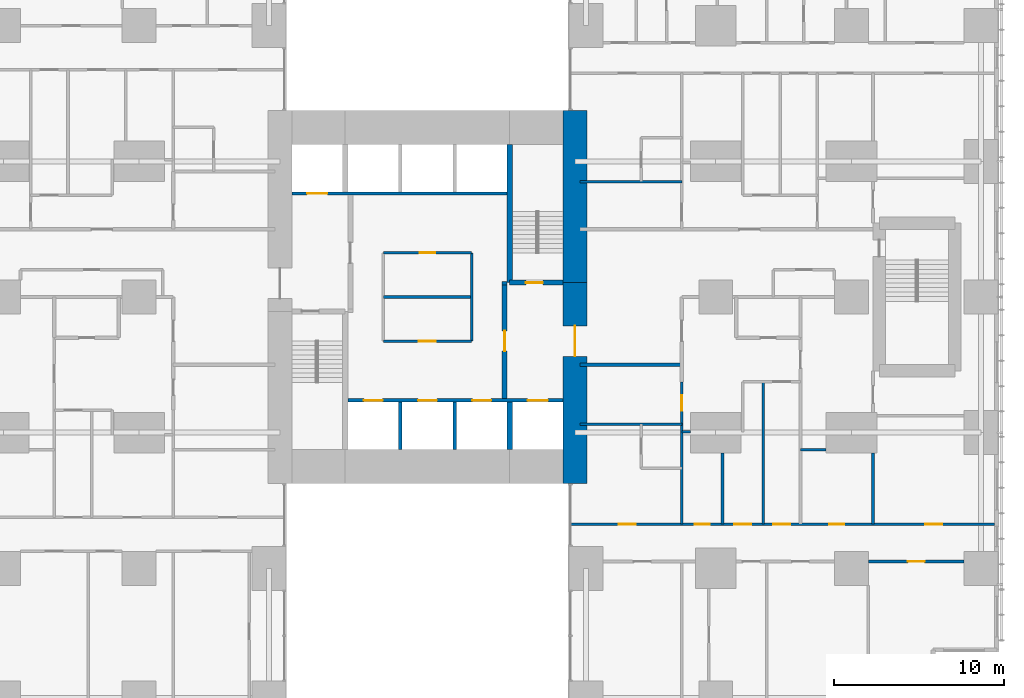
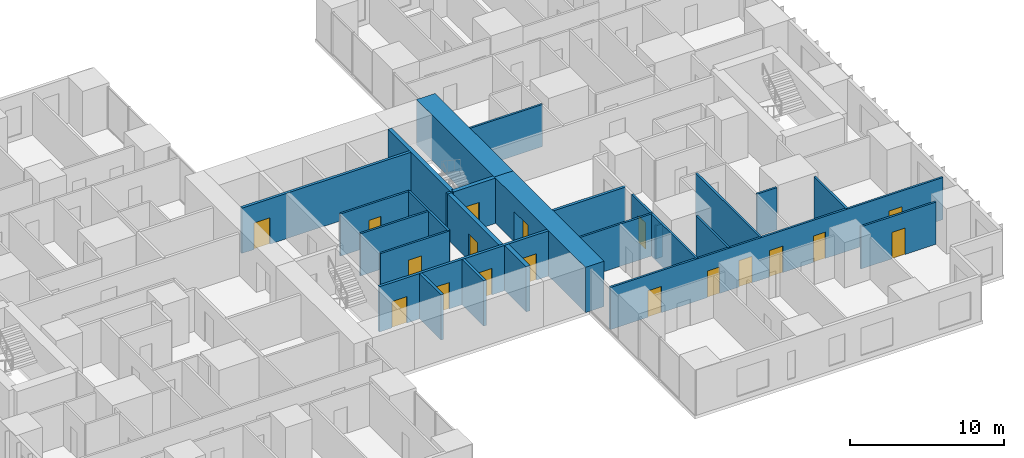
# One storey, part 15 of 20: 26 walls, 18 doors, 18 openings.
"""IFC4 building model written with IfcOpenShell, lengths in metres."""

from ifc_helpers import new_model, si_unit, direction, frame, frame_2d, origin, place, context, subcontext, project, spatial, rectangle, extrude, material, layer, layer_set, type_object, element, fill, save


model = new_model("IFC4")

# Units and contexts
model_context = context("Model", 3, precision=1e-05, world=origin(), true_north=direction((0.0, 1.0)))
body_context = subcontext(model_context, "Body", "Model", "MODEL_VIEW")
ifc_project = project(units=[si_unit("LENGTHUNIT", "METRE"), si_unit("AREAUNIT", "SQUARE_METRE"), si_unit("VOLUMEUNIT", "CUBIC_METRE"), si_unit("PLANEANGLEUNIT", "RADIAN"), si_unit("MASSUNIT", "GRAM", prefix="KILO")], contexts=[model_context])

# Site, building, storey
site_placement = place(None, origin())
site = spatial("IfcSite", under=ifc_project, at=site_placement, CompositionType="ELEMENT")
building_placement = place(site_placement, origin())
building = spatial("IfcBuilding", under=site, at=building_placement, Name="Cleftline Residences", CompositionType="ELEMENT")
storey_placement = place(building_placement, frame((0.0, 0.0, 146.60009765625)))
storey = spatial("IfcBuildingStorey", under=building, at=storey_placement, Name="L38", CompositionType="ELEMENT", Elevation=146.60009765625)

# Wall, opening, door
ifc_material_1 = material(Name="Concrete B70", Category="concrete")
ifc_layer_1 = layer(ifc_material_1, 1.39990234375)
ifc_layer_set_1 = layer_set([ifc_layer_1], Name="CORE WALL 1400")
wall_type_1 = type_object("IfcWallType", Name="CORE WALL 1400", PredefinedType="SHEAR", material=ifc_layer_set_1)
wall_1_placement = place(storey_placement, frame((41.699951171875, 13.0, 0.0), z_axis=(0.0, 0.0, 1.0), x_axis=(0.0, 1.0, 0.0)))
wall_1 = element("IfcWall", 1, at=wall_1_placement, inside=storey, type_object=wall_type_1, Name="Core wall E", PredefinedType="SHEAR", context=body_context, shape_type="SweptSolid", body=[
    extrude(rectangle(XDim=11.85009765625, YDim=1.39990234375, at=frame_2d((5.925048828125, 0.0))), origin(), (0.0, 0.0, 1.0), 3.599853515625),
])
opening_1_placement = place(wall_1_placement, frame((7.5, 0.0, 0.0)))
opening_1 = element("IfcOpeningElement", 2, at=opening_1_placement, cuts=wall_1, Name="Opening D7", PredefinedType="OPENING", context=body_context, shape_type="SweptSolid", body=[
    extrude(rectangle(XDim=1.800048828125, YDim=2.39990234375, at=frame_2d((0.89990234375, 1.199951171875))), frame((0.0, 0.7099609375, 0.0), z_axis=(0.0, -1.0, 0.0), x_axis=(1.0, 0.0, 0.0)), (0.0, 0.0, 1.0), 1.419921875),
])
ifc_material_2 = material(Name="Steel", Category="steel")
door_type_1 = type_object("IfcDoorType", Name="WING DOOR 1800X2400", OperationType="DOUBLE_DOOR_DOUBLE_SWING", PredefinedType="DOOR", material=ifc_material_2)
door_1_placement = place(opening_1_placement, origin())
door_1 = element("IfcDoor", 3, at=door_1_placement, inside=storey, type_object=door_type_1, Name="East wing door", OperationType="DOUBLE_DOOR_DOUBLE_SWING", OverallHeight=2.39990234375, OverallWidth=1.800048828125, PredefinedType="DOOR", context=body_context, shape_type="SweptSolid", body=[
    extrude(rectangle(XDim=1.800048828125, YDim=2.39990234375, at=frame_2d((0.89990234375, 1.199951171875))), frame((0.0, 0.02490234375, 0.0), z_axis=(0.0, -1.0, 0.0), x_axis=(1.0, 0.0, 0.0)), (0.0, 0.0, 1.0), 0.050048828125),
])
fill(opening_1, door_1)

# Walls
wall_2_placement = place(storey_placement, frame((41.699951171875, 24.85009765625, 0.0), z_axis=(0.0, 0.0, 1.0), x_axis=(0.0, 1.0, 0.0)))
element("IfcWall", 4, at=wall_2_placement, inside=storey, type_object=wall_type_1, Name="Core wall E1", PredefinedType="SHEAR", context=body_context, shape_type="SweptSolid", body=[
    extrude(rectangle(XDim=10.14990234375, YDim=1.39990234375, at=frame_2d((5.074951171875, 0.0))), origin(), (0.0, 0.0, 1.0), 3.599853515625),
])
ifc_material_3 = material(Name="Concrete B70", Category="concrete")
ifc_layer_2 = layer(ifc_material_3, 0.300048828125)
ifc_layer_set_2 = layer_set([ifc_layer_2], Name="CORE WALL 300")
wall_type_2 = type_object("IfcWallType", Name="CORE WALL 300", PredefinedType="SHEAR", material=ifc_layer_set_2)
wall_3_placement = place(storey_placement, frame((37.85009765625, 24.85009765625, 0.0), z_axis=(0.0, 0.0, 1.0), x_axis=(0.0, 1.0, 0.0)))
element("IfcWall", 5, at=wall_3_placement, inside=storey, type_object=wall_type_2, Name="Core wall SB-W", PredefinedType="SHEAR", context=body_context, shape_type="SweptSolid", body=[
    extrude(rectangle(XDim=8.14990234375, YDim=0.300048828125, at=frame_2d((4.074951171875, 0.0))), origin(), (0.0, 0.0, 1.0), 3.599853515625),
])

# Wall, opening, door
wall_4_placement = place(storey_placement, frame((37.85009765625, 24.85009765625, 0.0), z_axis=(0.0, 0.0, 1.0), x_axis=(1.0, 0.0, 0.0)))
wall_4 = element("IfcWall", 6, at=wall_4_placement, inside=storey, type_object=wall_type_2, Name="Core wall SB-S", PredefinedType="SHEAR", context=body_context, shape_type="SweptSolid", body=[
    extrude(rectangle(XDim=3.14990234375, YDim=0.300048828125, at=frame_2d((1.574951171875, 0.0))), origin(), (0.0, 0.0, 1.0), 3.599853515625),
])
opening_2_placement = place(wall_4_placement, frame((0.949951171875, 0.0, 0.0)))
opening_2 = element("IfcOpeningElement", 7, at=opening_2_placement, cuts=wall_4, Name="Opening D5", PredefinedType="OPENING", context=body_context, shape_type="SweptSolid", body=[
    extrude(rectangle(XDim=1.0, YDim=2.10009765625, at=frame_2d((0.5, 1.050048828125))), frame((0.0, 0.159912109375, 0.0), z_axis=(0.0, -1.0, 0.0), x_axis=(1.0, 0.0, 0.0)), (0.0, 0.0, 1.0), 0.320068359375),
])
ifc_material_4 = material(Name="Steel", Category="steel")
door_type_2 = type_object("IfcDoorType", Name="STAIR DOOR 1000X2100", OperationType="SINGLE_SWING_LEFT", PredefinedType="DOOR", material=ifc_material_4)
door_2_placement = place(opening_2_placement, origin())
door_2 = element("IfcDoor", 8, at=door_2_placement, inside=storey, type_object=door_type_2, Name="Stair B door", OperationType="SINGLE_SWING_RIGHT", OverallHeight=2.10009765625, OverallWidth=1.0, PredefinedType="DOOR", context=body_context, shape_type="SweptSolid", body=[
    extrude(rectangle(XDim=1.0, YDim=2.10009765625, at=frame_2d((0.5, 1.050048828125))), frame((0.0, 0.02490234375, 0.0), z_axis=(0.0, -1.0, 0.0), x_axis=(1.0, 0.0, 0.0)), (0.0, 0.0, 1.0), 0.050048828125),
])
fill(opening_2, door_2)

# Walls
wall_5_placement = place(storey_placement, frame((37.85009765625, 15.0, 0.0), z_axis=(0.0, 0.0, 1.0), x_axis=(0.0, 1.0, 0.0)))
element("IfcWall", 9, at=wall_5_placement, inside=storey, type_object=wall_type_2, Name="Lift shaft wall", PredefinedType="SHEAR", context=body_context, shape_type="SweptSolid", body=[
    extrude(rectangle(XDim=2.800048828125, YDim=0.300048828125, at=frame_2d((1.39990234375, 0.0))), origin(), (0.0, 0.0, 1.0), 3.599853515625),
])
ifc_material_5 = material(Name="Concrete blockwork, fire rated", Category="masonry")
ifc_layer_3 = layer(ifc_material_5, 0.199951171875)
ifc_layer_set_3 = layer_set([ifc_layer_3], Name="FIRE WALL 200")
wall_type_3 = type_object("IfcWallType", Name="FIRE WALL 200", PredefinedType="PARTITIONING", material=ifc_layer_set_3)
wall_6_placement = place(storey_placement, frame((42.0, 20.0, 0.0), z_axis=(0.0, 0.0, 1.0), x_axis=(1.0, 0.0, 0.0)))
element("IfcWall", 10, at=wall_6_placement, inside=storey, type_object=wall_type_3, Name="Fire separating wall", PredefinedType="PARTITIONING", context=body_context, shape_type="SweptSolid", body=[
    extrude(rectangle(XDim=6.0, YDim=0.199951171875, at=frame_2d((3.0, 0.0))), origin(), (0.0, 0.0, 1.0), 3.349853515625),
])
wall_7_placement = place(storey_placement, frame((37.39990234375, 24.800048828125, 0.0), z_axis=(0.0, 0.0, 1.0), x_axis=(1.0, 0.0, 0.0)))
element("IfcWall", 11, at=wall_7_placement, inside=storey, type_object=wall_type_3, Name="Fire separating wall", PredefinedType="PARTITIONING", context=body_context, shape_type="SweptSolid", body=[
    extrude(rectangle(XDim=0.300048828125, YDim=0.199951171875, at=frame_2d((0.14990234375, 0.0))), origin(), (0.0, 0.0, 1.0), 3.599853515625),
])

# Wall, opening, door
ifc_material_6 = material(Name="Gypsum board on steel studs", Category="steel")
ifc_layer_4 = layer(ifc_material_6, 0.14990234375)
ifc_layer_set_4 = layer_set([ifc_layer_4], Name="PARTITION 150")
wall_type_4 = type_object("IfcWallType", Name="PARTITION 150", PredefinedType="PARTITIONING", material=ifc_layer_set_4)
wall_8_placement = place(storey_placement, frame((59.0, 8.39990234375, 0.0), z_axis=(0.0, 0.0, 1.0), x_axis=(1.0, 0.0, 0.0)))
wall_8 = element("IfcWall", 12, at=wall_8_placement, inside=storey, type_object=wall_type_4, Name="Partition", PredefinedType="PARTITIONING", context=body_context, shape_type="SweptSolid", body=[
    extrude(rectangle(XDim=5.64990234375, YDim=0.14990234375, at=frame_2d((2.824951171875, 0.0))), origin(), (0.0, 0.0, 1.0), 3.349853515625),
])
opening_3_placement = place(wall_8_placement, frame((2.324951171875, 0.0, 0.0)))
opening_3 = element("IfcOpeningElement", 13, at=opening_3_placement, cuts=wall_8, Name="Opening D2", PredefinedType="OPENING", context=body_context, shape_type="SweptSolid", body=[
    extrude(rectangle(XDim=1.0, YDim=2.10009765625, at=frame_2d((0.5, 1.050048828125))), frame((0.0, 0.0849609375, 0.0), z_axis=(0.0, -1.0, 0.0), x_axis=(1.0, 0.0, 0.0)), (0.0, 0.0, 1.0), 0.169921875),
])
ifc_material_7 = material(Name="Timber veneer on solid core", Category="wood")
door_type_3 = type_object("IfcDoorType", Name="DOOR 1000X2100", OperationType="SINGLE_SWING_LEFT", PredefinedType="DOOR", material=ifc_material_7)
door_3_placement = place(opening_3_placement, origin())
door_3 = element("IfcDoor", 14, at=door_3_placement, inside=storey, type_object=door_type_3, Name="Door to music room", OperationType="SINGLE_SWING_LEFT", OverallHeight=2.10009765625, OverallWidth=1.0, PredefinedType="DOOR", context=body_context, shape_type="SweptSolid", body=[
    extrude(rectangle(XDim=1.0, YDim=2.10009765625, at=frame_2d((0.5, 1.050048828125))), frame((0.0, 0.02490234375, 0.0), z_axis=(0.0, -1.0, 0.0), x_axis=(1.0, 0.0, 0.0)), (0.0, 0.0, 1.0), 0.050048828125),
])
fill(opening_3, door_3)

# Wall, openings, doors
wall_9_placement = place(storey_placement, frame((41.43896484375, 10.60009765625, 0.0), z_axis=(0.0, 0.0, 1.0), x_axis=(1.0, 0.0, 0.0)))
wall_9 = element("IfcWall", 15, at=wall_9_placement, inside=storey, type_object=wall_type_4, Name="Partition", PredefinedType="PARTITIONING", context=body_context, shape_type="SweptSolid", body=[
    extrude(rectangle(XDim=25.010986328125, YDim=0.14990234375, at=frame_2d((12.50537109375, 0.0))), origin(), (0.0, 0.0, 1.0), 3.349853515625),
])
opening_4_placement = place(wall_9_placement, frame((11.9609375, 0.0, 0.0)))
opening_4 = element("IfcOpeningElement", 16, at=opening_4_placement, cuts=wall_9, Name="Opening D2", PredefinedType="OPENING", context=body_context, shape_type="SweptSolid", body=[
    extrude(rectangle(XDim=1.0, YDim=2.10009765625, at=frame_2d((0.5, 1.050048828125))), frame((0.0, 0.0849609375, 0.0), z_axis=(0.0, -1.0, 0.0), x_axis=(1.0, 0.0, 0.0)), (0.0, 0.0, 1.0), 0.169921875),
])
opening_5_placement = place(wall_9_placement, frame((20.923583984375, 0.0, 0.0)))
opening_5 = element("IfcOpeningElement", 17, at=opening_5_placement, cuts=wall_9, Name="Opening D2", PredefinedType="OPENING", context=body_context, shape_type="SweptSolid", body=[
    extrude(rectangle(XDim=1.0, YDim=2.10009765625, at=frame_2d((0.5, 1.050048828125))), frame((0.0, 0.0849609375, 0.0), z_axis=(0.0, -1.0, 0.0), x_axis=(1.0, 0.0, 0.0)), (0.0, 0.0, 1.0), 0.169921875),
])
opening_6_placement = place(wall_9_placement, frame((15.24853515625, 0.0, 0.0)))
opening_6 = element("IfcOpeningElement", 18, at=opening_6_placement, cuts=wall_9, Name="Opening D1", PredefinedType="OPENING", context=body_context, shape_type="SweptSolid", body=[
    extrude(rectangle(XDim=0.89990234375, YDim=2.10009765625, at=frame_2d((0.449951171875, 1.050048828125))), frame((0.0, 0.0849609375, 0.0), z_axis=(0.0, -1.0, 0.0), x_axis=(1.0, 0.0, 0.0)), (0.0, 0.0, 1.0), 0.169921875),
])
opening_7_placement = place(wall_9_placement, frame((9.660888671875, 0.0, 0.0)))
opening_7 = element("IfcOpeningElement", 19, at=opening_7_placement, cuts=wall_9, Name="Opening D2", PredefinedType="OPENING", context=body_context, shape_type="SweptSolid", body=[
    extrude(rectangle(XDim=1.0, YDim=2.10009765625, at=frame_2d((0.5, 1.050048828125))), frame((0.0, 0.0849609375, 0.0), z_axis=(0.0, -1.0, 0.0), x_axis=(1.0, 0.0, 0.0)), (0.0, 0.0, 1.0), 0.169921875),
])
opening_8_placement = place(wall_9_placement, frame((7.31103515625, 0.0, 0.0)))
opening_8 = element("IfcOpeningElement", 20, at=opening_8_placement, cuts=wall_9, Name="Opening D1", PredefinedType="OPENING", context=body_context, shape_type="SweptSolid", body=[
    extrude(rectangle(XDim=0.89990234375, YDim=2.10009765625, at=frame_2d((0.449951171875, 1.050048828125))), frame((0.0, 0.0849609375, 0.0), z_axis=(0.0, -1.0, 0.0), x_axis=(1.0, 0.0, 0.0)), (0.0, 0.0, 1.0), 0.169921875),
])
opening_9_placement = place(wall_9_placement, frame((2.8359375, 0.0, 0.0)))
opening_9 = element("IfcOpeningElement", 21, at=opening_9_placement, cuts=wall_9, Name="Opening D2", PredefinedType="OPENING", context=body_context, shape_type="SweptSolid", body=[
    extrude(rectangle(XDim=1.0, YDim=2.10009765625, at=frame_2d((0.5, 1.050048828125))), frame((0.0, 0.0849609375, 0.0), z_axis=(0.0, -1.0, 0.0), x_axis=(1.0, 0.0, 0.0)), (0.0, 0.0, 1.0), 0.169921875),
])
door_4_placement = place(opening_4_placement, origin())
door_4 = element("IfcDoor", 22, at=door_4_placement, inside=storey, type_object=door_type_3, Name="Door to residence hall", OperationType="SINGLE_SWING_RIGHT", OverallHeight=2.10009765625, OverallWidth=1.0, PredefinedType="DOOR", context=body_context, shape_type="SweptSolid", body=[
    extrude(rectangle(XDim=1.0, YDim=2.10009765625, at=frame_2d((0.5, 1.050048828125))), frame((0.0, 0.02490234375, 0.0), z_axis=(0.0, -1.0, 0.0), x_axis=(1.0, 0.0, 0.0)), (0.0, 0.0, 1.0), 0.050048828125),
])
fill(opening_4, door_4)
door_5_placement = place(opening_5_placement, origin())
door_5 = element("IfcDoor", 23, at=door_5_placement, inside=storey, type_object=door_type_3, Name="Door to sea-view great room", OperationType="SINGLE_SWING_LEFT", OverallHeight=2.10009765625, OverallWidth=1.0, PredefinedType="DOOR", context=body_context, shape_type="SweptSolid", body=[
    extrude(rectangle(XDim=1.0, YDim=2.10009765625, at=frame_2d((0.5, 1.050048828125))), frame((0.0, 0.02490234375, 0.0), z_axis=(0.0, -1.0, 0.0), x_axis=(1.0, 0.0, 0.0)), (0.0, 0.0, 1.0), 0.050048828125),
])
fill(opening_5, door_5)
door_6_placement = place(opening_7_placement, origin())
door_6 = element("IfcDoor", 24, at=door_6_placement, inside=storey, type_object=door_type_3, Name="Door to wet kitchen", OperationType="SINGLE_SWING_RIGHT", OverallHeight=2.10009765625, OverallWidth=1.0, PredefinedType="DOOR", context=body_context, shape_type="SweptSolid", body=[
    extrude(rectangle(XDim=1.0, YDim=2.10009765625, at=frame_2d((0.5, 1.050048828125))), frame((0.0, 0.02490234375, 0.0), z_axis=(0.0, -1.0, 0.0), x_axis=(1.0, 0.0, 0.0)), (0.0, 0.0, 1.0), 0.050048828125),
])
fill(opening_7, door_6)
door_7_placement = place(opening_9_placement, origin())
door_7 = element("IfcDoor", 25, at=door_7_placement, inside=storey, type_object=door_type_3, Name="Door to staff bedroom", OperationType="SINGLE_SWING_RIGHT", OverallHeight=2.10009765625, OverallWidth=1.0, PredefinedType="DOOR", context=body_context, shape_type="SweptSolid", body=[
    extrude(rectangle(XDim=1.0, YDim=2.10009765625, at=frame_2d((0.5, 1.050048828125))), frame((0.0, 0.02490234375, 0.0), z_axis=(0.0, -1.0, 0.0), x_axis=(1.0, 0.0, 0.0)), (0.0, 0.0, 1.0), 0.050048828125),
])
fill(opening_9, door_7)
ifc_material_8 = material(Name="Timber veneer on solid core", Category="wood")
door_type_4 = type_object("IfcDoorType", Name="DOOR 900X2100", OperationType="SINGLE_SWING_LEFT", PredefinedType="DOOR", material=ifc_material_8)
door_8_placement = place(opening_6_placement, origin())
door_8 = element("IfcDoor", 26, at=door_8_placement, inside=storey, type_object=door_type_4, Name="Door to wine room", OperationType="SINGLE_SWING_LEFT", OverallHeight=2.10009765625, OverallWidth=0.89990234375, PredefinedType="DOOR", context=body_context, shape_type="SweptSolid", body=[
    extrude(rectangle(XDim=0.89990234375, YDim=2.10009765625, at=frame_2d((0.449951171875, 1.050048828125))), frame((0.0, 0.02490234375, 0.0), z_axis=(0.0, -1.0, 0.0), x_axis=(1.0, 0.0, 0.0)), (0.0, 0.0, 1.0), 0.050048828125),
])
fill(opening_6, door_8)
door_9_placement = place(opening_8_placement, origin())
door_9 = element("IfcDoor", 27, at=door_9_placement, inside=storey, type_object=door_type_4, Name="Door to pantry", OperationType="SINGLE_SWING_RIGHT", OverallHeight=2.10009765625, OverallWidth=0.89990234375, PredefinedType="DOOR", context=body_context, shape_type="SweptSolid", body=[
    extrude(rectangle(XDim=0.89990234375, YDim=2.10009765625, at=frame_2d((0.449951171875, 1.050048828125))), frame((0.0, 0.02490234375, 0.0), z_axis=(0.0, -1.0, 0.0), x_axis=(1.0, 0.0, 0.0)), (0.0, 0.0, 1.0), 0.050048828125),
])
fill(opening_8, door_9)

# Walls
wall_10_placement = place(storey_placement, frame((55.0, 15.0, 0.0), z_axis=(0.0, 0.0, 1.0), x_axis=(1.0, 0.0, 0.0)))
element("IfcWall", 28, at=wall_10_placement, inside=storey, type_object=wall_type_4, Name="Partition", PredefinedType="PARTITIONING", context=body_context, shape_type="SweptSolid", body=[
    extrude(rectangle(XDim=1.5, YDim=0.14990234375, at=frame_2d((0.75, 0.0))), origin(), (0.0, 0.0, 1.0), 3.349853515625),
])
wall_11_placement = place(storey_placement, frame((48.0, 16.050048828125, 0.0), z_axis=(0.0, 0.0, 1.0), x_axis=(1.0, 0.0, 0.0)))
element("IfcWall", 29, at=wall_11_placement, inside=storey, type_object=wall_type_4, Name="Partition", PredefinedType="PARTITIONING", context=body_context, shape_type="SweptSolid", body=[
    extrude(rectangle(XDim=0.5, YDim=0.14990234375, at=frame_2d((0.25, 0.0))), origin(), (0.0, 0.0, 1.0), 2.6337890625),
])
for number, where, z_axis, x_axis, name in (
    (30, (42.0, 16.5, 0.0), (0.0, 0.0, 1.0), (1.0, 0.0, 0.0), "Partition"),
    (31, (42.0, 30.800048828125, 0.0), (0.0, 0.0, 1.0), (1.0, 0.0, 0.0), "Partition"),
):
    element("IfcWall", number, at=place(storey_placement, frame(where, z_axis=z_axis, x_axis=x_axis)), inside=storey, type_object=wall_type_4, Name=name, PredefinedType="PARTITIONING", context=body_context, shape_type="SweptSolid", body=[
        extrude(rectangle(XDim=6.0, YDim=0.14990234375, at=frame_2d((3.0, 0.0))), origin(), (0.0, 0.0, 1.0), 3.349853515625),
    ])

# Wall, opening, door
wall_12_placement = place(storey_placement, frame((48.0, 10.60009765625, 0.0), z_axis=(0.0, 0.0, 1.0), x_axis=(0.0, 1.0, 0.0)))
wall_12 = element("IfcWall", 32, at=wall_12_placement, inside=storey, type_object=wall_type_4, Name="Partition", PredefinedType="PARTITIONING", context=body_context, shape_type="SweptSolid", body=[
    extrude(rectangle(XDim=8.39990234375, YDim=0.14990234375, at=frame_2d((4.199951171875, 0.0))), origin(), (0.0, 0.0, 1.0), 3.349853515625),
])
opening_10_placement = place(wall_12_placement, frame((6.699951171875, 0.0, 0.0)))
opening_10 = element("IfcOpeningElement", 33, at=opening_10_placement, cuts=wall_12, Name="Opening D1", PredefinedType="OPENING", context=body_context, shape_type="SweptSolid", body=[
    extrude(rectangle(XDim=0.89990234375, YDim=2.10009765625, at=frame_2d((0.449951171875, 1.050048828125))), frame((0.0, 0.0849609375, 0.0), z_axis=(0.0, -1.0, 0.0), x_axis=(1.0, 0.0, 0.0)), (0.0, 0.0, 1.0), 0.169921875),
])
door_10_placement = place(opening_10_placement, origin())
door_10 = element("IfcDoor", 34, at=door_10_placement, inside=storey, type_object=door_type_4, Name="Door to drying loggia", OperationType="SINGLE_SWING_LEFT", OverallHeight=2.10009765625, OverallWidth=0.89990234375, PredefinedType="DOOR", context=body_context, shape_type="SweptSolid", body=[
    extrude(rectangle(XDim=0.89990234375, YDim=2.10009765625, at=frame_2d((0.449951171875, 1.050048828125))), frame((0.0, 0.02490234375, 0.0), z_axis=(0.0, -1.0, 0.0), x_axis=(1.0, 0.0, 0.0)), (0.0, 0.0, 1.0), 0.050048828125),
])
fill(opening_10, door_10)

# Walls
wall_13_placement = place(storey_placement, frame((50.39990234375, 10.60009765625, 0.0), z_axis=(0.0, 0.0, 1.0), x_axis=(0.0, 1.0, 0.0)))
element("IfcWall", 35, at=wall_13_placement, inside=storey, type_object=wall_type_4, Name="Partition", PredefinedType="PARTITIONING", context=body_context, shape_type="SweptSolid", body=[
    extrude(rectangle(XDim=4.199951171875, YDim=0.14990234375, at=frame_2d((2.10009765625, 0.0))), origin(), (0.0, 0.0, 1.0), 3.349853515625),
])
wall_14_placement = place(storey_placement, frame((52.800048828125, 10.60009765625, 0.0), z_axis=(0.0, 0.0, 1.0), x_axis=(0.0, 1.0, 0.0)))
element("IfcWall", 36, at=wall_14_placement, inside=storey, type_object=wall_type_4, Name="Partition", PredefinedType="PARTITIONING", context=body_context, shape_type="SweptSolid", body=[
    extrude(rectangle(XDim=8.39990234375, YDim=0.14990234375, at=frame_2d((4.199951171875, 0.0))), origin(), (0.0, 0.0, 1.0), 3.349853515625),
])
wall_15_placement = place(storey_placement, frame((59.27490234375, 10.60009765625, 0.0), z_axis=(0.0, 0.0, 1.0), x_axis=(0.0, 1.0, 0.0)))
element("IfcWall", 37, at=wall_15_placement, inside=storey, type_object=wall_type_4, Name="Partition", PredefinedType="PARTITIONING", context=body_context, shape_type="SweptSolid", body=[
    extrude(rectangle(XDim=4.199951171875, YDim=0.14990234375, at=frame_2d((2.10009765625, 0.0))), origin(), (0.0, 0.0, 1.0), 3.349853515625),
])

# Wall, opening, door
ifc_material_9 = material(Name="Fire-resisting gypsum board on steel studs", Category="steel")
ifc_layer_5 = layer(ifc_material_9, 0.14990234375)
ifc_layer_set_5 = layer_set([ifc_layer_5], Name="PARTITION 150 EI 60")
wall_type_5 = type_object("IfcWallType", Name="PARTITION 150 EI 60", PredefinedType="PARTITIONING", material=ifc_layer_set_5)
wall_16_placement = place(storey_placement, frame((30.39990234375, 21.39990234375, 0.0), z_axis=(0.0, 0.0, 1.0), x_axis=(1.0, 0.0, 0.0)))
wall_16 = element("IfcWall", 38, at=wall_16_placement, inside=storey, type_object=wall_type_5, Name="Core room partition", PredefinedType="PARTITIONING", context=body_context, shape_type="SweptSolid", body=[
    extrude(rectangle(XDim=5.2001953125, YDim=0.14990234375, at=frame_2d((2.60009765625, 0.0))), origin(), (0.0, 0.0, 1.0), 3.349853515625),
])
opening_11_placement = place(wall_16_placement, frame((2.10009765625, 0.0, 0.0)))
opening_11 = element("IfcOpeningElement", 39, at=opening_11_placement, cuts=wall_16, Name="Opening D2F60", PredefinedType="OPENING", context=body_context, shape_type="SweptSolid", body=[
    extrude(rectangle(XDim=1.0, YDim=2.10009765625, at=frame_2d((0.5, 1.050048828125))), frame((0.0, 0.0849609375, 0.0), z_axis=(0.0, -1.0, 0.0), x_axis=(1.0, 0.0, 0.0)), (0.0, 0.0, 1.0), 0.169921875),
])
ifc_material_10 = material(Name="Timber veneer on solid core", Category="wood")
door_type_5 = type_object("IfcDoorType", Name="DOOR 1000X2100 EI 60", OperationType="SINGLE_SWING_LEFT", PredefinedType="DOOR", material=ifc_material_10)
door_11_placement = place(opening_11_placement, origin())
door_11 = element("IfcDoor", 40, at=door_11_placement, inside=storey, type_object=door_type_5, Name="Door to electrical room", OperationType="SINGLE_SWING_LEFT", OverallHeight=2.10009765625, OverallWidth=1.0, PredefinedType="DOOR", context=body_context, shape_type="SweptSolid", body=[
    extrude(rectangle(XDim=1.0, YDim=2.10009765625, at=frame_2d((0.5, 1.050048828125))), frame((0.0, 0.02490234375, 0.0), z_axis=(0.0, -1.0, 0.0), x_axis=(1.0, 0.0, 0.0)), (0.0, 0.0, 1.0), 0.050048828125),
])
fill(opening_11, door_11)

wall_17_placement = place(storey_placement, frame((30.39990234375, 26.60009765625, 0.0), z_axis=(0.0, 0.0, 1.0), x_axis=(1.0, 0.0, 0.0)))
wall_17 = element("IfcWall", 41, at=wall_17_placement, inside=storey, type_object=wall_type_5, Name="Core room partition", PredefinedType="PARTITIONING", context=body_context, shape_type="SweptSolid", body=[
    extrude(rectangle(XDim=5.2001953125, YDim=0.14990234375, at=frame_2d((2.60009765625, 0.0))), origin(), (0.0, 0.0, 1.0), 3.349853515625),
])
opening_12_placement = place(wall_17_placement, frame((2.14990234375, 0.0, 0.0)))
opening_12 = element("IfcOpeningElement", 42, at=opening_12_placement, cuts=wall_17, Name="Opening D1F30", PredefinedType="OPENING", context=body_context, shape_type="SweptSolid", body=[
    extrude(rectangle(XDim=0.89990234375, YDim=2.10009765625, at=frame_2d((0.449951171875, 1.050048828125))), frame((0.0, 0.0849609375, 0.0), z_axis=(0.0, -1.0, 0.0), x_axis=(1.0, 0.0, 0.0)), (0.0, 0.0, 1.0), 0.169921875),
])
ifc_material_11 = material(Name="Timber veneer on solid core", Category="wood")
door_type_6 = type_object("IfcDoorType", Name="DOOR 900X2100 EI 30", OperationType="SINGLE_SWING_LEFT", PredefinedType="DOOR", material=ifc_material_11)
door_12_placement = place(opening_12_placement, origin())
door_12 = element("IfcDoor", 43, at=door_12_placement, inside=storey, type_object=door_type_6, Name="Door to maintenance store", OperationType="SINGLE_SWING_LEFT", OverallHeight=2.10009765625, OverallWidth=0.89990234375, PredefinedType="DOOR", context=body_context, shape_type="SweptSolid", body=[
    extrude(rectangle(XDim=0.89990234375, YDim=2.10009765625, at=frame_2d((0.449951171875, 1.050048828125))), frame((0.0, 0.02490234375, 0.0), z_axis=(0.0, -1.0, 0.0), x_axis=(1.0, 0.0, 0.0)), (0.0, 0.0, 1.0), 0.050048828125),
])
fill(opening_12, door_12)

# Walls
for number, where, z_axis, x_axis, name in (
    (44, (35.60009765625, 21.39990234375, 0.0), (0.0, 0.0, 1.0), (0.0, 1.0, 0.0), "Core room partition"),
    (45, (30.39990234375, 24.0, 0.0), (0.0, 0.0, 1.0), (1.0, 0.0, 0.0), "Core room partition"),
):
    element("IfcWall", number, at=place(storey_placement, frame(where, z_axis=z_axis, x_axis=x_axis)), inside=storey, type_object=wall_type_5, Name=name, PredefinedType="PARTITIONING", context=body_context, shape_type="SweptSolid", body=[
        extrude(rectangle(XDim=5.2001953125, YDim=0.14990234375, at=frame_2d((2.60009765625, 0.0))), origin(), (0.0, 0.0, 1.0), 3.349853515625),
    ])

# Wall, openings, doors
ifc_material_12 = material(Name="Concrete blockwork, fire rated", Category="masonry")
ifc_layer_6 = layer(ifc_material_12, 0.199951171875)
ifc_layer_set_6 = layer_set([ifc_layer_6], Name="SHAFT WALL 200")
wall_type_6 = type_object("IfcWallType", Name="SHAFT WALL 200", PredefinedType="PARTITIONING", material=ifc_layer_set_6)
wall_18_placement = place(storey_placement, frame((28.300048828125, 17.89990234375, 0.0), z_axis=(0.0, 0.0, 1.0), x_axis=(1.0, 0.0, 0.0)))
wall_18 = element("IfcWall", 46, at=wall_18_placement, inside=storey, type_object=wall_type_6, Name="Lift shaft wall", PredefinedType="PARTITIONING", context=body_context, shape_type="SweptSolid", body=[
    extrude(rectangle(XDim=12.699951171875, YDim=0.199951171875, at=frame_2d((6.35009765625, 0.0))), origin(), (0.0, 0.0, 1.0), 3.599853515625),
])
opening_13_placement = place(wall_18_placement, frame((0.949951171875, 0.0, 0.0)))
opening_13 = element("IfcOpeningElement", 47, at=opening_13_placement, cuts=wall_18, Name="Opening LD1", PredefinedType="OPENING", context=body_context, shape_type="SweptSolid", body=[
    extrude(rectangle(XDim=1.10009765625, YDim=2.10009765625, at=frame_2d((0.550048828125, 1.050048828125))), frame((0.0, 0.10986328125, 0.0), z_axis=(0.0, -1.0, 0.0), x_axis=(1.0, 0.0, 0.0)), (0.0, 0.0, 1.0), 0.219970703125),
])
opening_14_placement = place(wall_18_placement, frame((4.14990234375, 0.0, 0.0)))
opening_14 = element("IfcOpeningElement", 48, at=opening_14_placement, cuts=wall_18, Name="Opening LD1", PredefinedType="OPENING", context=body_context, shape_type="SweptSolid", body=[
    extrude(rectangle(XDim=1.10009765625, YDim=2.10009765625, at=frame_2d((0.550048828125, 1.050048828125))), frame((0.0, 0.10986328125, 0.0), z_axis=(0.0, -1.0, 0.0), x_axis=(1.0, 0.0, 0.0)), (0.0, 0.0, 1.0), 0.219970703125),
])
opening_15_placement = place(wall_18_placement, frame((7.35009765625, 0.0, 0.0)))
opening_15 = element("IfcOpeningElement", 49, at=opening_15_placement, cuts=wall_18, Name="Opening LD1", PredefinedType="OPENING", context=body_context, shape_type="SweptSolid", body=[
    extrude(rectangle(XDim=1.10009765625, YDim=2.10009765625, at=frame_2d((0.550048828125, 1.050048828125))), frame((0.0, 0.10986328125, 0.0), z_axis=(0.0, -1.0, 0.0), x_axis=(1.0, 0.0, 0.0)), (0.0, 0.0, 1.0), 0.219970703125),
])
opening_16_placement = place(wall_18_placement, frame((10.60009765625, 0.0, 0.0)))
opening_16 = element("IfcOpeningElement", 50, at=opening_16_placement, cuts=wall_18, Name="Opening LD2", PredefinedType="OPENING", context=body_context, shape_type="SweptSolid", body=[
    extrude(rectangle(XDim=1.199951171875, YDim=2.10009765625, at=frame_2d((0.60009765625, 1.050048828125))), frame((0.0, 0.10986328125, 0.0), z_axis=(0.0, -1.0, 0.0), x_axis=(1.0, 0.0, 0.0)), (0.0, 0.0, 1.0), 0.219970703125),
])
ifc_material_13 = material(Name="Steel", Category="steel")
door_type_7 = type_object("IfcDoorType", Name="FIREFIGHTING LIFT LANDING DOOR 1200X2100", OperationType="SLIDING_TO_LEFT", PredefinedType="DOOR", material=ifc_material_13)
door_13_placement = place(opening_16_placement, origin())
door_13 = element("IfcDoor", 51, at=door_13_placement, inside=storey, type_object=door_type_7, Name="Lift FL2 landing door", OperationType="SLIDING_TO_LEFT", OverallHeight=2.10009765625, OverallWidth=1.199951171875, PredefinedType="DOOR", context=body_context, shape_type="SweptSolid", body=[
    extrude(rectangle(XDim=1.199951171875, YDim=2.10009765625, at=frame_2d((0.60009765625, 1.050048828125))), frame((0.0, 0.02490234375, 0.0), z_axis=(0.0, -1.0, 0.0), x_axis=(1.0, 0.0, 0.0)), (0.0, 0.0, 1.0), 0.050048828125),
])
fill(opening_16, door_13)
ifc_material_14 = material(Name="Steel", Category="steel")
door_type_8 = type_object("IfcDoorType", Name="LIFT LANDING DOOR 1100X2100", OperationType="SLIDING_TO_LEFT", PredefinedType="DOOR", material=ifc_material_14)
door_14_placement = place(opening_13_placement, origin())
door_14 = element("IfcDoor", 52, at=door_14_placement, inside=storey, type_object=door_type_8, Name="Lift P1 landing door", OperationType="SLIDING_TO_LEFT", OverallHeight=2.10009765625, OverallWidth=1.10009765625, PredefinedType="DOOR", context=body_context, shape_type="SweptSolid", body=[
    extrude(rectangle(XDim=1.10009765625, YDim=2.10009765625, at=frame_2d((0.550048828125, 1.050048828125))), frame((0.0, 0.02490234375, 0.0), z_axis=(0.0, -1.0, 0.0), x_axis=(1.0, 0.0, 0.0)), (0.0, 0.0, 1.0), 0.050048828125),
])
fill(opening_13, door_14)
door_15_placement = place(opening_14_placement, origin())
door_15 = element("IfcDoor", 53, at=door_15_placement, inside=storey, type_object=door_type_8, Name="Lift P2 landing door", OperationType="SLIDING_TO_LEFT", OverallHeight=2.10009765625, OverallWidth=1.10009765625, PredefinedType="DOOR", context=body_context, shape_type="SweptSolid", body=[
    extrude(rectangle(XDim=1.10009765625, YDim=2.10009765625, at=frame_2d((0.550048828125, 1.050048828125))), frame((0.0, 0.02490234375, 0.0), z_axis=(0.0, -1.0, 0.0), x_axis=(1.0, 0.0, 0.0)), (0.0, 0.0, 1.0), 0.050048828125),
])
fill(opening_14, door_15)
door_16_placement = place(opening_15_placement, origin())
door_16 = element("IfcDoor", 54, at=door_16_placement, inside=storey, type_object=door_type_8, Name="Lift P3 landing door", OperationType="SLIDING_TO_LEFT", OverallHeight=2.10009765625, OverallWidth=1.10009765625, PredefinedType="DOOR", context=body_context, shape_type="SweptSolid", body=[
    extrude(rectangle(XDim=1.10009765625, YDim=2.10009765625, at=frame_2d((0.550048828125, 1.050048828125))), frame((0.0, 0.02490234375, 0.0), z_axis=(0.0, -1.0, 0.0), x_axis=(1.0, 0.0, 0.0)), (0.0, 0.0, 1.0), 0.050048828125),
])
fill(opening_15, door_16)

# Wall, opening, door
wall_19_placement = place(storey_placement, frame((25.0, 30.10009765625, 0.0), z_axis=(0.0, 0.0, 1.0), x_axis=(1.0, 0.0, 0.0)))
wall_19 = element("IfcWall", 55, at=wall_19_placement, inside=storey, type_object=wall_type_6, Name="Lift shaft wall", PredefinedType="PARTITIONING", context=body_context, shape_type="SweptSolid", body=[
    extrude(rectangle(XDim=12.699951171875, YDim=0.199951171875, at=frame_2d((6.35009765625, 0.0))), origin(), (0.0, 0.0, 1.0), 3.599853515625),
])
opening_17_placement = place(wall_19_placement, frame((0.89990234375, 0.0, 0.0)))
opening_17 = element("IfcOpeningElement", 56, at=opening_17_placement, cuts=wall_19, Name="Opening LD2", PredefinedType="OPENING", context=body_context, shape_type="SweptSolid", body=[
    extrude(rectangle(XDim=1.199951171875, YDim=2.10009765625, at=frame_2d((0.60009765625, 1.050048828125))), frame((0.0, 0.10986328125, 0.0), z_axis=(0.0, -1.0, 0.0), x_axis=(1.0, 0.0, 0.0)), (0.0, 0.0, 1.0), 0.219970703125),
])
door_17_placement = place(opening_17_placement, origin())
door_17 = element("IfcDoor", 57, at=door_17_placement, inside=storey, type_object=door_type_7, Name="Lift FL1 landing door", OperationType="SLIDING_TO_LEFT", OverallHeight=2.10009765625, OverallWidth=1.199951171875, PredefinedType="DOOR", context=body_context, shape_type="SweptSolid", body=[
    extrude(rectangle(XDim=1.199951171875, YDim=2.10009765625, at=frame_2d((0.60009765625, 1.050048828125))), frame((0.0, 0.02490234375, 0.0), z_axis=(0.0, -1.0, 0.0), x_axis=(1.0, 0.0, 0.0)), (0.0, 0.0, 1.0), 0.050048828125),
])
fill(opening_17, door_17)

# Walls
for number, where, z_axis, x_axis, name in (
    (58, (31.39990234375, 15.0, 0.0), (0.0, 0.0, 1.0), (0.0, 1.0, 0.0), "Lift shaft wall"),
    (59, (34.60009765625, 15.0, 0.0), (0.0, 0.0, 1.0), (0.0, 1.0, 0.0), "Lift shaft wall"),
):
    element("IfcWall", number, at=place(storey_placement, frame(where, z_axis=z_axis, x_axis=x_axis)), inside=storey, type_object=wall_type_6, Name=name, PredefinedType="PARTITIONING", context=body_context, shape_type="SweptSolid", body=[
        extrude(rectangle(XDim=2.800048828125, YDim=0.199951171875, at=frame_2d((1.39990234375, 0.0))), origin(), (0.0, 0.0, 1.0), 3.599853515625),
    ])

# Wall, opening, door
ifc_material_15 = material(Name="Concrete blockwork, fire rated", Category="masonry")
ifc_layer_7 = layer(ifc_material_15, 0.300048828125)
ifc_layer_set_7 = layer_set([ifc_layer_7], Name="STAIR LOBBY WALL 300")
wall_type_7 = type_object("IfcWallType", Name="STAIR LOBBY WALL 300", PredefinedType="PARTITIONING", material=ifc_layer_set_7)
wall_20_placement = place(storey_placement, frame((37.550048828125, 18.0, 0.0), z_axis=(0.0, 0.0, 1.0), x_axis=(0.0, 1.0, 0.0)))
wall_20 = element("IfcWall", 60, at=wall_20_placement, inside=storey, type_object=wall_type_7, Name="Stair and lobby wall FB-W", PredefinedType="PARTITIONING", context=body_context, shape_type="SweptSolid", body=[
    extrude(rectangle(XDim=6.699951171875, YDim=0.300048828125, at=frame_2d((3.35009765625, 0.0))), origin(), (0.0, 0.0, 1.0), 3.599853515625),
])
opening_18_placement = place(wall_20_placement, frame((2.800048828125, 0.0, 0.0)))
opening_18 = element("IfcOpeningElement", 61, at=opening_18_placement, cuts=wall_20, Name="Opening D6", PredefinedType="OPENING", context=body_context, shape_type="SweptSolid", body=[
    extrude(rectangle(XDim=1.199951171875, YDim=2.10009765625, at=frame_2d((0.60009765625, 1.050048828125))), frame((0.0, 0.159912109375, 0.0), z_axis=(0.0, -1.0, 0.0), x_axis=(1.0, 0.0, 0.0)), (0.0, 0.0, 1.0), 0.320068359375),
])
ifc_material_16 = material(Name="Steel", Category="steel")
door_type_9 = type_object("IfcDoorType", Name="LOBBY DOOR 1200X2100", OperationType="SINGLE_SWING_RIGHT", PredefinedType="DOOR", material=ifc_material_16)
door_18_placement = place(opening_18_placement, origin())
door_18 = element("IfcDoor", 62, at=door_18_placement, inside=storey, type_object=door_type_9, Name="Firefighting lobby B door", OperationType="SINGLE_SWING_LEFT", OverallHeight=2.10009765625, OverallWidth=1.199951171875, PredefinedType="DOOR", context=body_context, shape_type="SweptSolid", body=[
    extrude(rectangle(XDim=1.199951171875, YDim=2.10009765625, at=frame_2d((0.60009765625, 1.050048828125))), frame((0.0, 0.02490234375, 0.0), z_axis=(0.0, -1.0, 0.0), x_axis=(1.0, 0.0, 0.0)), (0.0, 0.0, 1.0), 0.050048828125),
])
fill(opening_18, door_18)

save(model, "model.ifc")
